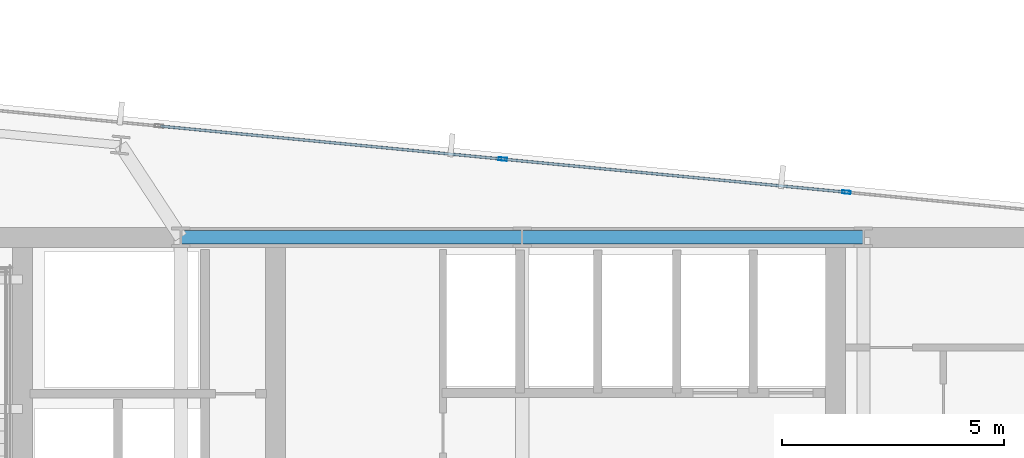
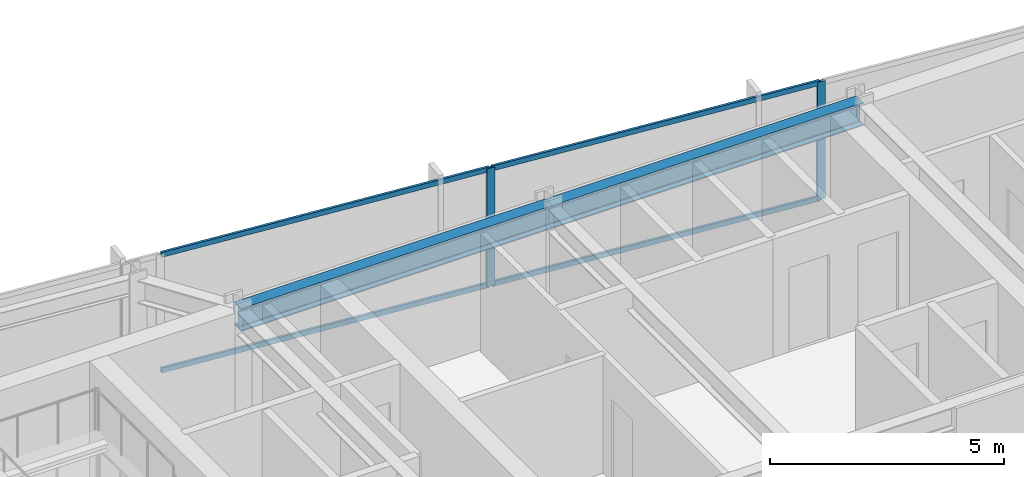
# One storey, part 26 of 37: 6 members, 2 beams, 1 element without a shape of its own.
"""IFC4 building model written with IfcOpenShell, lengths in metres."""

from ifc_helpers import new_model, si_unit, direction, frame, origin, origin_2d, place, context, subcontext, project, spatial, hollow_rectangle, i_section, extrude, material, material_profile, profile_set, type_object, element, aggregate, save


model = new_model("IFC4")

# Units and contexts
model_context = context("Model", 3, precision=1e-05, world=origin(), true_north=direction((0.0, 1.0)))
body_context = subcontext(model_context, "Body", "Model", "MODEL_VIEW")
ifc_project = project(units=[si_unit("LENGTHUNIT", "METRE"), si_unit("AREAUNIT", "SQUARE_METRE"), si_unit("VOLUMEUNIT", "CUBIC_METRE"), si_unit("PLANEANGLEUNIT", "RADIAN"), si_unit("MASSUNIT", "GRAM", prefix="KILO")], contexts=[model_context])

# Site, building, storey
site_placement = place(None, origin())
site = spatial("IfcSite", under=ifc_project, at=site_placement, CompositionType="ELEMENT")
building_placement = place(site_placement, origin())
building = spatial("IfcBuilding", under=site, at=building_placement, Name="Yelkora Congress Tower", CompositionType="ELEMENT")
storey_placement = place(building_placement, frame((0.0, 0.0, 168.800048828125)))
storey = spatial("IfcBuildingStorey", under=building, at=storey_placement, Name="L46", CompositionType="ELEMENT", Elevation=168.800048828125)

# Beams
ifc_material_1 = material(Name="Steel S355J2", Category="steel")
ifc_material_profile_1 = material_profile(ifc_material_1, i_section(OverallWidth=0.300048828125, OverallDepth=0.60009765625, WebThickness=0.015380859375, FlangeThickness=0.030029296875, FilletRadius=0.027099609375, at=origin_2d()), Name="HEB 600")
ifc_profile_set_1 = profile_set([ifc_material_profile_1], Name="Steel S355J2")
beam_type = type_object("IfcBeamType", Name="BM-GIRD-HEB600", PredefinedType="BEAM", material=ifc_profile_set_1)
beam_1_placement = place(storey_placement, frame((30.719970703125, 46.199951171875, 2.780029296875), z_axis=(1.0, 0.0, 0.0), x_axis=(0.0, 1.0, 0.0)))
element("IfcBeam", 1, at=beam_1_placement, inside=storey, type_object=beam_type, Name="L46 Core North Girder 3", PredefinedType="BEAM", context=body_context, shape_type="SweptSolid", body=[
    extrude(i_section(OverallWidth=0.300048828125, OverallDepth=0.60009765625, WebThickness=0.015380859375, FlangeThickness=0.030029296875, FilletRadius=0.027099609375, at=origin_2d()), origin(), (0.0, 0.0, 1.0), 7.679931640625),
])
beam_2_placement = place(storey_placement, frame((38.39990234375, 46.199951171875, 2.780029296875), z_axis=(1.0, 0.0, 0.0), x_axis=(0.0, 1.0, 0.0)))
element("IfcBeam", 2, at=beam_2_placement, inside=storey, type_object=beam_type, Name="L46 Core North Girder 4", PredefinedType="BEAM", context=body_context, shape_type="SweptSolid", body=[
    extrude(i_section(OverallWidth=0.300048828125, OverallDepth=0.60009765625, WebThickness=0.015380859375, FlangeThickness=0.030029296875, FilletRadius=0.027099609375, at=origin_2d()), origin(), (0.0, 0.0, 1.0), 7.68017578125),
])

# Curtain wall, members
ifc_material_2 = material(Name="Anodised aluminium and insulated glass", Category="aluminium")
curtain_wall_type = type_object("IfcCurtainWallType", Name="CW-SYS-B3", PredefinedType="NOTDEFINED", material=ifc_material_2)
curtain_wall_placement = place(storey_placement, origin())
curtain_wall = element("IfcCurtainWall", 3, at=curtain_wall_placement, inside=storey, type_object=curtain_wall_type, Name="L46 Unitised Curtain Wall 10 (1)", PredefinedType="NOTDEFINED")
ifc_material_3 = material(Name="Anodised aluminium 6063-T6", Category="aluminium")
ifc_material_profile_2 = material_profile(ifc_material_3, hollow_rectangle(XDim=0.070068359375, YDim=0.18994140625, WallThickness=0.00390625, at=origin_2d()), Name="ALU 70x190x4")
ifc_profile_set_2 = profile_set([ifc_material_profile_2], Name="Anodised aluminium 6063-T6")
member_type_1 = type_object("IfcMemberType", Name="MEM-ML-B3", PredefinedType="MULLION", material=ifc_profile_set_2)
member_1_placement = place(storey_placement, frame((37.9638671875, 47.958984375, 0.0), z_axis=(0.0, 0.0, 1.0), x_axis=(0.095844761168, 0.995396293823, 0.0)))
member_1 = element("IfcMember", 4, at=member_1_placement, type_object=member_type_1, Name="CW-B3 mullion 5", PredefinedType="MULLION", context=body_context, shape_type="SweptSolid", body=[
    extrude(hollow_rectangle(XDim=0.070068359375, YDim=0.18994140625, WallThickness=0.00390625, at=origin_2d()), origin(), (0.0, 0.0, 1.0), 3.079833984375),
])
member_2_placement = place(storey_placement, frame((45.697509765625, 47.21435546875, 0.0), z_axis=(0.0, 0.0, 1.0), x_axis=(0.095844761168, 0.995396293823, 0.0)))
member_2 = element("IfcMember", 5, at=member_2_placement, type_object=member_type_1, Name="CW-B3 mullion 6", PredefinedType="MULLION", context=body_context, shape_type="SweptSolid", body=[
    extrude(hollow_rectangle(XDim=0.070068359375, YDim=0.18994140625, WallThickness=0.00390625, at=origin_2d()), origin(), (0.0, 0.0, 1.0), 3.079833984375),
])
ifc_material_profile_3 = material_profile(ifc_material_3, hollow_rectangle(XDim=0.06005859375, YDim=0.1298828125, WallThickness=0.00390625, at=origin_2d()), Name="ALU 60x130x4")
ifc_profile_set_3 = profile_set([ifc_material_profile_3], Name="Anodised aluminium 6063-T6")
member_type_2 = type_object("IfcMemberType", Name="MEM-TR-B3", PredefinedType="USERDEFINED", material=ifc_profile_set_3)
member_3_placement = place(storey_placement, frame((30.26513671875, 48.7001953125, 0.030029296875), z_axis=(0.995398042106, -0.095826602633, 0.0), x_axis=(0.095826602633, 0.995398042106, 0.0)))
member_3 = element("IfcMember", 6, at=member_3_placement, type_object=member_type_2, Name="CW-B3 transom 4.1", ObjectType="TRANSOM", PredefinedType="USERDEFINED", context=body_context, shape_type="SweptSolid", body=[
    extrude(hollow_rectangle(XDim=0.06005859375, YDim=0.1298828125, WallThickness=0.00390625, at=origin_2d()), origin(), (0.0, 0.0, 1.0), 7.69921875),
])
member_4_placement = place(storey_placement, frame((30.26513671875, 48.7001953125, 3.050048828125), z_axis=(0.995398042106, -0.095826602633, 0.0), x_axis=(0.095826602633, 0.995398042106, 0.0)))
member_4 = element("IfcMember", 7, at=member_4_placement, type_object=member_type_2, Name="CW-B3 transom 4.2", ObjectType="TRANSOM", PredefinedType="USERDEFINED", context=body_context, shape_type="SweptSolid", body=[
    extrude(hollow_rectangle(XDim=0.06005859375, YDim=0.1298828125, WallThickness=0.00390625, at=origin_2d()), origin(), (0.0, 0.0, 1.0), 7.69921875),
])
member_5_placement = place(storey_placement, frame((37.998779296875, 47.95556640625, 0.030029296875), z_axis=(0.995398042106, -0.095826602633, 0.0), x_axis=(0.095826602633, 0.995398042106, 0.0)))
member_5 = element("IfcMember", 8, at=member_5_placement, type_object=member_type_2, Name="CW-B3 transom 5.1", ObjectType="TRANSOM", PredefinedType="USERDEFINED", context=body_context, shape_type="SweptSolid", body=[
    extrude(hollow_rectangle(XDim=0.06005859375, YDim=0.1298828125, WallThickness=0.00390625, at=origin_2d()), origin(), (0.0, 0.0, 1.0), 7.69921875),
])
member_6_placement = place(storey_placement, frame((37.998779296875, 47.95556640625, 3.050048828125), z_axis=(0.995398042106, -0.095826602633, 0.0), x_axis=(0.095826602633, 0.995398042106, 0.0)))
member_6 = element("IfcMember", 9, at=member_6_placement, type_object=member_type_2, Name="CW-B3 transom 5.2", ObjectType="TRANSOM", PredefinedType="USERDEFINED", context=body_context, shape_type="SweptSolid", body=[
    extrude(hollow_rectangle(XDim=0.06005859375, YDim=0.1298828125, WallThickness=0.00390625, at=origin_2d()), origin(), (0.0, 0.0, 1.0), 7.69921875),
])
aggregate(curtain_wall, [member_1, member_2, member_3, member_4, member_5, member_6])

save(model, "model.ifc")
